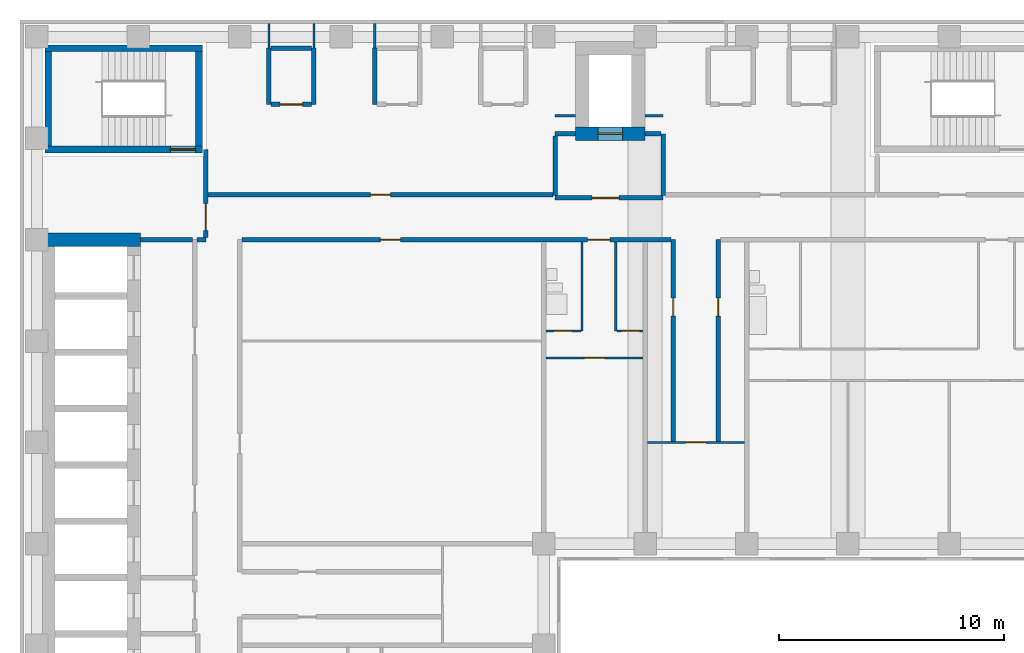
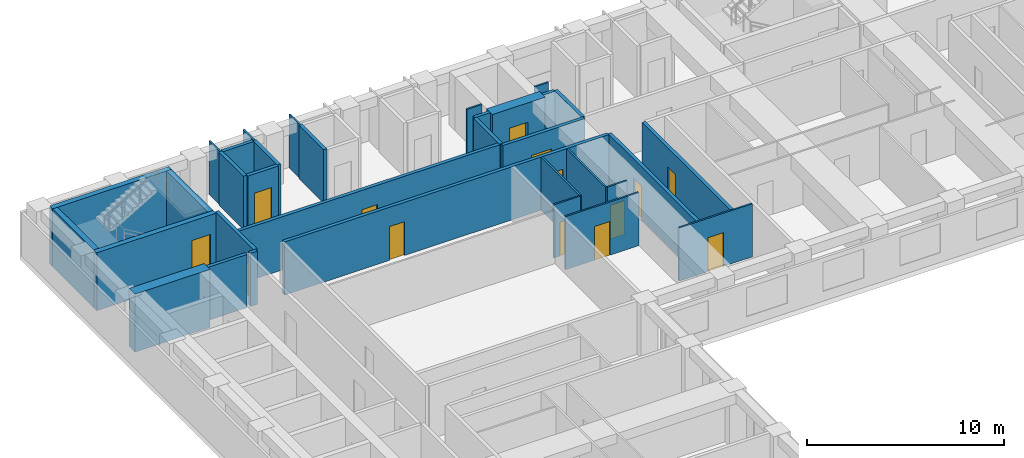
# One storey, part 5 of 12: 34 walls, 14 doors, 14 openings.
"""IFC4 building model written with IfcOpenShell, lengths in metres."""

from ifc_helpers import new_model, si_unit, direction, frame, frame_2d, origin, place, context, subcontext, project, spatial, rectangle, extrude, material, layer, layer_set, type_object, element, fill, save


model = new_model("IFC4")

# Units and contexts
model_context = context("Model", 3, precision=1e-05, world=origin(), true_north=direction((0.0, 1.0)))
body_context = subcontext(model_context, "Body", "Model", "MODEL_VIEW")
ifc_project = project(units=[si_unit("LENGTHUNIT", "METRE"), si_unit("AREAUNIT", "SQUARE_METRE"), si_unit("VOLUMEUNIT", "CUBIC_METRE"), si_unit("PLANEANGLEUNIT", "RADIAN"), si_unit("MASSUNIT", "GRAM", prefix="KILO")], contexts=[model_context])

# Site, building, storey
site_placement = place(None, origin())
site = spatial("IfcSite", under=ifc_project, at=site_placement, CompositionType="ELEMENT")
building_placement = place(site_placement, origin())
building = spatial("IfcBuilding", under=site, at=building_placement, Name="Firuza Court", CompositionType="ELEMENT")
storey_placement = place(building_placement, frame((0.0, 0.0, 144.800048828125)))
storey = spatial("IfcBuildingStorey", under=building, at=storey_placement, Name="L36", CompositionType="ELEMENT", Elevation=144.800048828125)

# Wall
ifc_material_1 = material(Name="Moisture-resistant gypsum board partition")
ifc_layer_1 = layer(ifc_material_1, 0.10009765625)
ifc_layer_set_1 = layer_set([ifc_layer_1], Name="Moisture-resistant gypsum board partition")
wall_type_1 = type_object("IfcWallType", Name="Bathroom partition 100", PredefinedType="PLUMBINGWALL", material=ifc_layer_set_1)
wall_1_placement = place(storey_placement, frame((24.199951171875, 45.449951171875, 0.0), z_axis=(0.0, 0.0, 1.0), x_axis=(0.0, 1.0, 0.0)))
element("IfcWall", 1, at=wall_1_placement, inside=storey, type_object=wall_type_1, Name="Bathroom partition 100 L36", PredefinedType="PLUMBINGWALL", context=body_context, shape_type="SweptSolid", body=[
    extrude(rectangle(XDim=3.949951171875, YDim=0.10009765625, at=frame_2d((1.97509765625, 0.0))), origin(), (0.0, 0.0, 1.0), 3.300048828125),
])

# Wall, opening, door
ifc_material_2 = material(Name="Concrete C60/75", Category="concrete")
ifc_layer_2 = layer(ifc_material_2, 0.300048828125)
ifc_layer_set_2 = layer_set([ifc_layer_2], Name="Concrete C60/75")
wall_type_2 = type_object("IfcWallType", Name="Core wall 300 C60/75", PredefinedType="SHEAR", material=ifc_layer_set_2)
wall_2_placement = place(storey_placement, frame((0.35009765625, 53.5, -0.300048828125), z_axis=(0.0, 0.0, 1.0), x_axis=(1.0, 0.0, 0.0)))
wall_2 = element("IfcWall", 2, at=wall_2_placement, inside=storey, type_object=wall_type_2, Name="Core wall stair L36", PredefinedType="SHEAR", context=body_context, shape_type="SweptSolid", body=[
    extrude(rectangle(XDim=7.0, YDim=0.300048828125, at=frame_2d((3.5, 0.0))), origin(), (0.0, 0.0, 1.0), 3.60009765625),
])
opening_1_placement = place(wall_2_placement, frame((5.580078125, 0.0, 0.300048828125)))
opening_1 = element("IfcOpeningElement", 3, at=opening_1_placement, cuts=wall_2, Name="Opening D36015", PredefinedType="OPENING", context=body_context, shape_type="SweptSolid", body=[
    extrude(rectangle(XDim=1.10009765625, YDim=2.10009765625, at=frame_2d((0.550048828125, 1.050048828125))), frame((0.0, 0.162109375, 0.0), z_axis=(0.0, -1.0, 0.0), x_axis=(1.0, 0.0, 0.0)), (0.0, 0.0, 1.0), 0.323974609375),
])
ifc_material_3 = material(Name="Timber door leaf in hardwood frame", Category="wood")
door_type_1 = type_object("IfcDoorType", Name="Stair door 1100", OperationType="SINGLE_SWING_LEFT", PredefinedType="DOOR", material=ifc_material_3)
door_1_placement = place(opening_1_placement, origin())
door_1 = element("IfcDoor", 4, at=door_1_placement, inside=storey, type_object=door_type_1, Name="Stair door S3", OperationType="SINGLE_SWING_RIGHT", OverallHeight=2.10009765625, OverallWidth=1.10009765625, PredefinedType="DOOR", context=body_context, shape_type="SweptSolid", body=[
    extrude(rectangle(XDim=1.10009765625, YDim=2.10009765625, at=frame_2d((0.550048828125, 1.050048828125))), frame((0.0, 0.02490234375, 0.0), z_axis=(0.0, -1.0, 0.0), x_axis=(1.0, 0.0, 0.0)), (0.0, 0.0, 1.0), 0.050048828125),
])
fill(opening_1, door_1)

# Walls
wall_3_placement = place(storey_placement, frame((0.35009765625, 58.0, -0.300048828125), z_axis=(0.0, 0.0, 1.0), x_axis=(1.0, 0.0, 0.0)))
element("IfcWall", 5, at=wall_3_placement, inside=storey, type_object=wall_type_2, Name="Core wall stair L36", PredefinedType="SHEAR", context=body_context, shape_type="SweptSolid", body=[
    extrude(rectangle(XDim=7.0, YDim=0.300048828125, at=frame_2d((3.5, 0.0))), origin(), (0.0, 0.0, 1.0), 3.60009765625),
])
for number, where, z_axis, x_axis, name in (
    (6, (0.5, 53.64990234375, -0.300048828125), (0.0, 0.0, 1.0), (0.0, 1.0, 0.0), "Core wall stair L36"),
    (7, (7.199951171875, 53.64990234375, -0.300048828125), (0.0, 0.0, 1.0), (0.0, 1.0, 0.0), "Core wall stair L36"),
):
    element("IfcWall", number, at=place(storey_placement, frame(where, z_axis=z_axis, x_axis=x_axis)), inside=storey, type_object=wall_type_2, Name=name, PredefinedType="SHEAR", context=body_context, shape_type="SweptSolid", body=[
        extrude(rectangle(XDim=4.2001953125, YDim=0.300048828125, at=frame_2d((2.10009765625, 0.0))), origin(), (0.0, 0.0, 1.0), 3.60009765625),
    ])
ifc_layer_3 = layer(ifc_material_2, 0.60009765625)
ifc_layer_set_3 = layer_set([ifc_layer_3], Name="Concrete C60/75")
wall_type_3 = type_object("IfcWallType", Name="Core wall 600 C60/75", PredefinedType="SHEAR", material=ifc_layer_set_3)
wall_4_placement = place(storey_placement, frame((0.199951171875, 49.5, -0.300048828125), z_axis=(0.0, 0.0, 1.0), x_axis=(1.0, 0.0, 0.0)))
element("IfcWall", 8, at=wall_4_placement, inside=storey, type_object=wall_type_3, Name="Core wall lift shaft L36", PredefinedType="SHEAR", context=body_context, shape_type="SweptSolid", body=[
    extrude(rectangle(XDim=4.400146484375, YDim=0.60009765625, at=frame_2d((2.2001953125, 0.0))), origin(), (0.0, 0.0, 1.0), 3.60009765625),
])

# Wall, opening, door
wall_5_placement = place(storey_placement, frame((23.89990234375, 54.199951171875, -0.300048828125), z_axis=(0.0, 0.0, 1.0), x_axis=(1.0, 0.0, 0.0)))
wall_5 = element("IfcWall", 9, at=wall_5_placement, inside=storey, type_object=wall_type_3, Name="Core wall lift shaft L36", PredefinedType="SHEAR", context=body_context, shape_type="SweptSolid", body=[
    extrude(rectangle(XDim=3.10009765625, YDim=0.60009765625, at=frame_2d((1.550048828125, 0.0))), origin(), (0.0, 0.0, 1.0), 3.60009765625),
])
opening_2_placement = place(wall_5_placement, frame((1.0, 0.0, 0.300048828125)))
opening_2 = element("IfcOpeningElement", 10, at=opening_2_placement, cuts=wall_5, Name="Opening LD-FL3-36", PredefinedType="OPENING", context=body_context, shape_type="SweptSolid", body=[
    extrude(rectangle(XDim=1.10009765625, YDim=2.10009765625, at=frame_2d((0.550048828125, 1.050048828125))), frame((0.0, 0.31201171875, 0.0), z_axis=(0.0, -1.0, 0.0), x_axis=(1.0, 0.0, 0.0)), (0.0, 0.0, 1.0), 0.6240234375),
])
ifc_material_4 = material(Name="Stainless steel 1.4301 door leaf", Category="steel")
door_type_2 = type_object("IfcDoorType", Name="Lift landing door 1100", OperationType="SLIDING_TO_LEFT", PredefinedType="DOOR", material=ifc_material_4)
door_2_placement = place(opening_2_placement, origin())
door_2 = element("IfcDoor", 11, at=door_2_placement, inside=storey, type_object=door_type_2, Name="Landing door FL3", OperationType="SLIDING_TO_LEFT", OverallHeight=2.10009765625, OverallWidth=1.10009765625, PredefinedType="DOOR", context=body_context, shape_type="SweptSolid", body=[
    extrude(rectangle(XDim=1.10009765625, YDim=2.10009765625, at=frame_2d((0.550048828125, 1.050048828125))), frame((0.0, 0.02490234375, 0.0), z_axis=(0.0, -1.0, 0.0), x_axis=(1.0, 0.0, 0.0)), (0.0, 0.0, 1.0), 0.050048828125),
])
fill(opening_2, door_2)

ifc_material_5 = material(Name="Blockwork, plastered both sides", Category="masonry")
ifc_layer_4 = layer(ifc_material_5, 0.199951171875)
ifc_layer_set_4 = layer_set([ifc_layer_4], Name="Blockwork, plastered both sides")
wall_type_4 = type_object("IfcWallType", Name="Corridor wall 200", PredefinedType="PARTITIONING", material=ifc_layer_set_4)
wall_6_placement = place(storey_placement, frame((28.25, 40.550048828125, 0.0), z_axis=(0.0, 0.0, 1.0), x_axis=(0.0, 1.0, 0.0)))
wall_6 = element("IfcWall", 12, at=wall_6_placement, inside=storey, type_object=wall_type_4, Name="Corridor wall 200 L36", PredefinedType="PARTITIONING", context=body_context, shape_type="SweptSolid", body=[
    extrude(rectangle(XDim=8.949951171875, YDim=0.199951171875, at=frame_2d((4.47509765625, 0.0))), origin(), (0.0, 0.0, 1.0), 3.300048828125),
])
opening_3_placement = place(wall_6_placement, frame((5.550048828125, 0.0, 0.0)))
opening_3 = element("IfcOpeningElement", 13, at=opening_3_placement, cuts=wall_6, Name="Opening D36041", PredefinedType="OPENING", context=body_context, shape_type="SweptSolid", body=[
    extrude(rectangle(XDim=0.800048828125, YDim=2.10009765625, at=frame_2d((0.39990234375, 1.050048828125))), frame((0.0, 0.11181640625, 0.0), z_axis=(0.0, -1.0, 0.0), x_axis=(1.0, 0.0, 0.0)), (0.0, 0.0, 1.0), 0.223876953125),
])
ifc_material_6 = material(Name="Timber door leaf in hardwood frame", Category="wood")
door_type_3 = type_object("IfcDoorType", Name="Room door 800 EI 30", OperationType="SINGLE_SWING_LEFT", PredefinedType="DOOR", material=ifc_material_6)
door_3_placement = place(opening_3_placement, origin())
door_3 = element("IfcDoor", 14, at=door_3_placement, inside=storey, type_object=door_type_3, Name="Store door", OperationType="SINGLE_SWING_RIGHT", OverallHeight=2.10009765625, OverallWidth=0.800048828125, PredefinedType="DOOR", context=body_context, shape_type="SweptSolid", body=[
    extrude(rectangle(XDim=0.800048828125, YDim=2.10009765625, at=frame_2d((0.39990234375, 1.050048828125))), frame((0.0, 0.02490234375, 0.0), z_axis=(0.0, -1.0, 0.0), x_axis=(1.0, 0.0, 0.0)), (0.0, 0.0, 1.0), 0.050048828125),
])
fill(opening_3, door_3)

wall_7_placement = place(storey_placement, frame((30.25, 40.550048828125, 0.0), z_axis=(0.0, 0.0, 1.0), x_axis=(0.0, 1.0, 0.0)))
wall_7 = element("IfcWall", 15, at=wall_7_placement, inside=storey, type_object=wall_type_4, Name="Corridor wall 200 L36", PredefinedType="PARTITIONING", context=body_context, shape_type="SweptSolid", body=[
    extrude(rectangle(XDim=8.949951171875, YDim=0.199951171875, at=frame_2d((4.47509765625, 0.0))), origin(), (0.0, 0.0, 1.0), 3.300048828125),
])
opening_4_placement = place(wall_7_placement, frame((5.550048828125, 0.0, 0.0)))
opening_4 = element("IfcOpeningElement", 16, at=opening_4_placement, cuts=wall_7, Name="Opening D36042", PredefinedType="OPENING", context=body_context, shape_type="SweptSolid", body=[
    extrude(rectangle(XDim=0.800048828125, YDim=2.10009765625, at=frame_2d((0.39990234375, 1.050048828125))), frame((0.0, 0.11181640625, 0.0), z_axis=(0.0, -1.0, 0.0), x_axis=(1.0, 0.0, 0.0)), (0.0, 0.0, 1.0), 0.223876953125),
])
door_4_placement = place(opening_4_placement, frame((0.800048828125, 0.0, 0.0), z_axis=(0.0, 0.0, 1.0), x_axis=(-1.0, 0.0, 0.0)))
door_4 = element("IfcDoor", 17, at=door_4_placement, inside=storey, type_object=door_type_3, Name="Store door", OperationType="SINGLE_SWING_LEFT", OverallHeight=2.10009765625, OverallWidth=0.800048828125, PredefinedType="DOOR", context=body_context, shape_type="SweptSolid", body=[
    extrude(rectangle(XDim=0.800048828125, YDim=2.10009765625, at=frame_2d((0.39990234375, 1.050048828125))), frame((0.0, 0.02490234375, 0.0), z_axis=(0.0, -1.0, 0.0), x_axis=(1.0, 0.0, 0.0)), (0.0, 0.0, 1.0), 0.050048828125),
])
fill(opening_4, door_4)

# Wall, openings, doors
wall_8_placement = place(storey_placement, frame((9.10009765625, 49.5, 0.0), z_axis=(0.0, 0.0, 1.0), x_axis=(1.0, 0.0, 0.0)))
wall_8 = element("IfcWall", 18, at=wall_8_placement, inside=storey, type_object=wall_type_4, Name="Corridor wall 200 L36", PredefinedType="PARTITIONING", context=body_context, shape_type="SweptSolid", body=[
    extrude(rectangle(XDim=19.0498046875, YDim=0.199951171875, at=frame_2d((9.52490234375, 0.0))), origin(), (0.0, 0.0, 1.0), 3.300048828125),
])
opening_5_placement = place(wall_8_placement, frame((15.35009765625, 0.0, 0.0)))
opening_5 = element("IfcOpeningElement", 19, at=opening_5_placement, cuts=wall_8, Name="Opening D36063", PredefinedType="OPENING", context=body_context, shape_type="SweptSolid", body=[
    extrude(rectangle(XDim=1.0, YDim=2.10009765625, at=frame_2d((0.5, 1.050048828125))), frame((0.0, 0.11181640625, 0.0), z_axis=(0.0, -1.0, 0.0), x_axis=(1.0, 0.0, 0.0)), (0.0, 0.0, 1.0), 0.223876953125),
])
opening_6_placement = place(wall_8_placement, frame((6.14990234375, 0.0, 0.0)))
opening_6 = element("IfcOpeningElement", 20, at=opening_6_placement, cuts=wall_8, Name="Opening D36064", PredefinedType="OPENING", context=body_context, shape_type="SweptSolid", body=[
    extrude(rectangle(XDim=0.89990234375, YDim=2.10009765625, at=frame_2d((0.449951171875, 1.050048828125))), frame((0.0, 0.11181640625, 0.0), z_axis=(0.0, -1.0, 0.0), x_axis=(1.0, 0.0, 0.0)), (0.0, 0.0, 1.0), 0.223876953125),
])
ifc_material_7 = material(Name="Timber door leaf in hardwood frame", Category="wood")
door_type_4 = type_object("IfcDoorType", Name="Flat entrance door 1000", OperationType="SINGLE_SWING_LEFT", PredefinedType="DOOR", material=ifc_material_7)
door_5_placement = place(opening_5_placement, origin())
door_5 = element("IfcDoor", 21, at=door_5_placement, inside=storey, type_object=door_type_4, Name="Flat entrance door", OperationType="SINGLE_SWING_LEFT", OverallHeight=2.10009765625, OverallWidth=1.0, PredefinedType="DOOR", context=body_context, shape_type="SweptSolid", body=[
    extrude(rectangle(XDim=1.0, YDim=2.10009765625, at=frame_2d((0.5, 1.050048828125))), frame((0.0, 0.02490234375, 0.0), z_axis=(0.0, -1.0, 0.0), x_axis=(1.0, 0.0, 0.0)), (0.0, 0.0, 1.0), 0.050048828125),
])
fill(opening_5, door_5)
ifc_material_8 = material(Name="Timber door leaf in hardwood frame", Category="wood")
door_type_5 = type_object("IfcDoorType", Name="Room door 900 EI 30", OperationType="SINGLE_SWING_LEFT", PredefinedType="DOOR", material=ifc_material_8)
door_6_placement = place(opening_6_placement, origin())
door_6 = element("IfcDoor", 22, at=door_6_placement, inside=storey, type_object=door_type_5, Name="Cinema room door", OperationType="SINGLE_SWING_LEFT", OverallHeight=2.10009765625, OverallWidth=0.89990234375, PredefinedType="DOOR", context=body_context, shape_type="SweptSolid", body=[
    extrude(rectangle(XDim=0.89990234375, YDim=2.10009765625, at=frame_2d((0.449951171875, 1.050048828125))), frame((0.0, 0.02490234375, 0.0), z_axis=(0.0, -1.0, 0.0), x_axis=(1.0, 0.0, 0.0)), (0.0, 0.0, 1.0), 0.050048828125),
])
fill(opening_6, door_6)

# Wall, opening, door
wall_9_placement = place(storey_placement, frame((7.60009765625, 51.5, 0.0), z_axis=(0.0, 0.0, 1.0), x_axis=(1.0, 0.0, 0.0)))
wall_9 = element("IfcWall", 23, at=wall_9_placement, inside=storey, type_object=wall_type_4, Name="Corridor wall 200 L36", PredefinedType="PARTITIONING", context=body_context, shape_type="SweptSolid", body=[
    extrude(rectangle(XDim=15.2998046875, YDim=0.199951171875, at=frame_2d((7.64990234375, 0.0))), origin(), (0.0, 0.0, 1.0), 3.300048828125),
])
opening_7_placement = place(wall_9_placement, frame((7.199951171875, 0.0, 0.0)))
opening_7 = element("IfcOpeningElement", 24, at=opening_7_placement, cuts=wall_9, Name="Opening D36067", PredefinedType="OPENING", context=body_context, shape_type="SweptSolid", body=[
    extrude(rectangle(XDim=0.89990234375, YDim=2.10009765625, at=frame_2d((0.449951171875, 1.050048828125))), frame((0.0, 0.11181640625, 0.0), z_axis=(0.0, -1.0, 0.0), x_axis=(1.0, 0.0, 0.0)), (0.0, 0.0, 1.0), 0.223876953125),
])
door_7_placement = place(opening_7_placement, origin())
door_7 = element("IfcDoor", 25, at=door_7_placement, inside=storey, type_object=door_type_5, Name="Residents' workroom door", OperationType="SINGLE_SWING_LEFT", OverallHeight=2.10009765625, OverallWidth=0.89990234375, PredefinedType="DOOR", context=body_context, shape_type="SweptSolid", body=[
    extrude(rectangle(XDim=0.89990234375, YDim=2.10009765625, at=frame_2d((0.449951171875, 1.050048828125))), frame((0.0, 0.02490234375, 0.0), z_axis=(0.0, -1.0, 0.0), x_axis=(1.0, 0.0, 0.0)), (0.0, 0.0, 1.0), 0.050048828125),
])
fill(opening_7, door_7)

ifc_material_9 = material(Name="Timber stud partition, plasterboard both sides", Category="wood")
ifc_layer_5 = layer(ifc_material_9, 0.10009765625)
ifc_layer_set_5 = layer_set([ifc_layer_5], Name="Timber stud partition, plasterboard both sides")
wall_type_5 = type_object("IfcWallType", Name="Partition wall 100", PredefinedType="PARTITIONING", material=ifc_layer_set_5)
wall_10_placement = place(storey_placement, frame((27.10009765625, 40.5, 0.0), z_axis=(0.0, 0.0, 1.0), x_axis=(1.0, 0.0, 0.0)))
wall_10 = element("IfcWall", 26, at=wall_10_placement, inside=storey, type_object=wall_type_5, Name="Partition wall 100 L36", PredefinedType="PARTITIONING", context=body_context, shape_type="SweptSolid", body=[
    extrude(rectangle(XDim=4.2998046875, YDim=0.10009765625, at=frame_2d((2.14990234375, 0.0))), origin(), (0.0, 0.0, 1.0), 3.300048828125),
])
opening_8_placement = place(wall_10_placement, frame((1.699951171875, 0.0, 0.0)))
opening_8 = element("IfcOpeningElement", 27, at=opening_8_placement, cuts=wall_10, Name="Opening D36039", PredefinedType="OPENING", context=body_context, shape_type="SweptSolid", body=[
    extrude(rectangle(XDim=0.89990234375, YDim=2.10009765625, at=frame_2d((0.449951171875, 1.050048828125))), frame((0.0, 0.06201171875, 0.0), z_axis=(0.0, -1.0, 0.0), x_axis=(1.0, 0.0, 0.0)), (0.0, 0.0, 1.0), 0.1240234375),
])
ifc_material_10 = material(Name="Timber door leaf in hardwood frame", Category="wood")
door_type_6 = type_object("IfcDoorType", Name="Room door 900", OperationType="SINGLE_SWING_LEFT", PredefinedType="DOOR", material=ifc_material_10)
door_8_placement = place(opening_8_placement, origin())
door_8 = element("IfcDoor", 28, at=door_8_placement, inside=storey, type_object=door_type_6, Name="Dining lounge door", OperationType="SINGLE_SWING_LEFT", OverallHeight=2.10009765625, OverallWidth=0.89990234375, PredefinedType="DOOR", context=body_context, shape_type="SweptSolid", body=[
    extrude(rectangle(XDim=0.89990234375, YDim=2.10009765625, at=frame_2d((0.449951171875, 1.050048828125))), frame((0.0, 0.02490234375, 0.0), z_axis=(0.0, -1.0, 0.0), x_axis=(1.0, 0.0, 0.0)), (0.0, 0.0, 1.0), 0.050048828125),
])
fill(opening_8, door_8)

wall_11_placement = place(storey_placement, frame((22.60009765625, 44.25, 0.0), z_axis=(0.0, 0.0, 1.0), x_axis=(1.0, 0.0, 0.0)))
wall_11 = element("IfcWall", 29, at=wall_11_placement, inside=storey, type_object=wall_type_5, Name="Partition wall 100 L36", PredefinedType="PARTITIONING", context=body_context, shape_type="SweptSolid", body=[
    extrude(rectangle(XDim=4.2998046875, YDim=0.10009765625, at=frame_2d((2.14990234375, 0.0))), origin(), (0.0, 0.0, 1.0), 3.300048828125),
])
opening_9_placement = place(wall_11_placement, frame((1.699951171875, 0.0, 0.0)))
opening_9 = element("IfcOpeningElement", 30, at=opening_9_placement, cuts=wall_11, Name="Opening D36052", PredefinedType="OPENING", context=body_context, shape_type="SweptSolid", body=[
    extrude(rectangle(XDim=0.89990234375, YDim=2.10009765625, at=frame_2d((0.449951171875, 1.050048828125))), frame((0.0, 0.06201171875, 0.0), z_axis=(0.0, -1.0, 0.0), x_axis=(1.0, 0.0, 0.0)), (0.0, 0.0, 1.0), 0.1240234375),
])
door_9_placement = place(opening_9_placement, frame((0.89990234375, 0.0, 0.0), z_axis=(0.0, 0.0, 1.0), x_axis=(-1.0, 0.0, 0.0)))
door_9 = element("IfcDoor", 31, at=door_9_placement, inside=storey, type_object=door_type_6, Name="Studio room door", OperationType="SINGLE_SWING_RIGHT", OverallHeight=2.10009765625, OverallWidth=0.89990234375, PredefinedType="DOOR", context=body_context, shape_type="SweptSolid", body=[
    extrude(rectangle(XDim=0.89990234375, YDim=2.10009765625, at=frame_2d((0.449951171875, 1.050048828125))), frame((0.0, 0.02490234375, 0.0), z_axis=(0.0, -1.0, 0.0), x_axis=(1.0, 0.0, 0.0)), (0.0, 0.0, 1.0), 0.050048828125),
])
fill(opening_9, door_9)

wall_12_placement = place(storey_placement, frame((22.60009765625, 45.449951171875, 0.0), z_axis=(0.0, 0.0, 1.0), x_axis=(1.0, 0.0, 0.0)))
wall_12 = element("IfcWall", 32, at=wall_12_placement, inside=storey, type_object=wall_type_5, Name="Partition wall 100 L36", PredefinedType="PARTITIONING", context=body_context, shape_type="SweptSolid", body=[
    extrude(rectangle(XDim=1.5498046875, YDim=0.10009765625, at=frame_2d((0.77490234375, 0.0))), origin(), (0.0, 0.0, 1.0), 3.300048828125),
])
opening_10_placement = place(wall_12_placement, frame((0.35009765625, 0.0, 0.0)))
opening_10 = element("IfcOpeningElement", 33, at=opening_10_placement, cuts=wall_12, Name="Opening D36061", PredefinedType="OPENING", context=body_context, shape_type="SweptSolid", body=[
    extrude(rectangle(XDim=0.800048828125, YDim=2.10009765625, at=frame_2d((0.39990234375, 1.050048828125))), frame((0.0, 0.06201171875, 0.0), z_axis=(0.0, -1.0, 0.0), x_axis=(1.0, 0.0, 0.0)), (0.0, 0.0, 1.0), 0.1240234375),
])
ifc_material_11 = material(Name="Timber door leaf in hardwood frame", Category="wood")
door_type_7 = type_object("IfcDoorType", Name="Bathroom door 800", OperationType="SINGLE_SWING_LEFT", PredefinedType="DOOR", material=ifc_material_11)
door_10_placement = place(opening_10_placement, origin())
door_10 = element("IfcDoor", 34, at=door_10_placement, inside=storey, type_object=door_type_7, Name="Bathroom door", OperationType="SINGLE_SWING_LEFT", OverallHeight=2.10009765625, OverallWidth=0.800048828125, PredefinedType="DOOR", context=body_context, shape_type="SweptSolid", body=[
    extrude(rectangle(XDim=0.800048828125, YDim=2.10009765625, at=frame_2d((0.39990234375, 1.050048828125))), frame((0.0, 0.02490234375, 0.0), z_axis=(0.0, -1.0, 0.0), x_axis=(1.0, 0.0, 0.0)), (0.0, 0.0, 1.0), 0.050048828125),
])
fill(opening_10, door_10)

# Wall
wall_13_placement = place(storey_placement, frame((25.699951171875, 45.449951171875, 0.0), z_axis=(0.0, 0.0, 1.0), x_axis=(0.0, 1.0, 0.0)))
element("IfcWall", 35, at=wall_13_placement, inside=storey, type_object=wall_type_5, Name="Partition wall 100 L36", PredefinedType="PARTITIONING", context=body_context, shape_type="SweptSolid", body=[
    extrude(rectangle(XDim=3.949951171875, YDim=0.10009765625, at=frame_2d((1.97509765625, 0.0))), origin(), (0.0, 0.0, 1.0), 3.300048828125),
])

# Wall, opening, door
wall_14_placement = place(storey_placement, frame((25.75, 45.449951171875, 0.0), z_axis=(0.0, 0.0, 1.0), x_axis=(1.0, 0.0, 0.0)))
wall_14 = element("IfcWall", 36, at=wall_14_placement, inside=storey, type_object=wall_type_5, Name="Partition wall 100 L36", PredefinedType="PARTITIONING", context=body_context, shape_type="SweptSolid", body=[
    extrude(rectangle(XDim=1.14990234375, YDim=0.10009765625, at=frame_2d((0.574951171875, 0.0))), origin(), (0.0, 0.0, 1.0), 3.300048828125),
])
opening_11_placement = place(wall_14_placement, frame((0.199951171875, 0.0, 0.0)))
opening_11 = element("IfcOpeningElement", 37, at=opening_11_placement, cuts=wall_14, Name="Opening D36062", PredefinedType="OPENING", context=body_context, shape_type="SweptSolid", body=[
    extrude(rectangle(XDim=0.800048828125, YDim=2.10009765625, at=frame_2d((0.39990234375, 1.050048828125))), frame((0.0, 0.06201171875, 0.0), z_axis=(0.0, -1.0, 0.0), x_axis=(1.0, 0.0, 0.0)), (0.0, 0.0, 1.0), 0.1240234375),
])
ifc_material_12 = material(Name="Timber door leaf in hardwood frame", Category="wood")
door_type_8 = type_object("IfcDoorType", Name="Room door 800", OperationType="SINGLE_SWING_LEFT", PredefinedType="DOOR", material=ifc_material_12)
door_11_placement = place(opening_11_placement, origin())
door_11 = element("IfcDoor", 38, at=door_11_placement, inside=storey, type_object=door_type_8, Name="Kitchen door", OperationType="SINGLE_SWING_LEFT", OverallHeight=2.10009765625, OverallWidth=0.800048828125, PredefinedType="DOOR", context=body_context, shape_type="SweptSolid", body=[
    extrude(rectangle(XDim=0.800048828125, YDim=2.10009765625, at=frame_2d((0.39990234375, 1.050048828125))), frame((0.0, 0.02490234375, 0.0), z_axis=(0.0, -1.0, 0.0), x_axis=(1.0, 0.0, 0.0)), (0.0, 0.0, 1.0), 0.050048828125),
])
fill(opening_11, door_11)

# Walls
wall_15_placement = place(storey_placement, frame((23.0, 55.0, 0.0), z_axis=(0.0, 0.0, 1.0), x_axis=(1.0, 0.0, 0.0)))
element("IfcWall", 39, at=wall_15_placement, inside=storey, type_object=wall_type_5, Name="Partition wall 100 L36", PredefinedType="PARTITIONING", context=body_context, shape_type="SweptSolid", body=[
    extrude(rectangle(XDim=0.89990234375, YDim=0.10009765625, at=frame_2d((0.449951171875, 0.0))), origin(), (0.0, 0.0, 1.0), 3.300048828125),
])
wall_16_placement = place(storey_placement, frame((27.0, 55.0, 0.0), z_axis=(0.0, 0.0, 1.0), x_axis=(1.0, 0.0, 0.0)))
element("IfcWall", 40, at=wall_16_placement, inside=storey, type_object=wall_type_5, Name="Partition wall 100 L36", PredefinedType="PARTITIONING", context=body_context, shape_type="SweptSolid", body=[
    extrude(rectangle(XDim=0.800048828125, YDim=0.10009765625, at=frame_2d((0.39990234375, 0.0))), origin(), (0.0, 0.0, 1.0), 3.300048828125),
])
for number, where, z_axis, x_axis, name in (
    (41, (10.300048828125, 58.0, 0.0), (0.0, 0.0, 1.0), (0.0, 1.0, 0.0), "Partition wall 100 L36"),
    (42, (12.300048828125, 58.0, 0.0), (0.0, 0.0, 1.0), (0.0, 1.0, 0.0), "Partition wall 100 L36"),
    (43, (15.0, 58.0, 0.0), (0.0, 0.0, 1.0), (0.0, 1.0, 0.0), "Partition wall 100 L36"),
):
    element("IfcWall", number, at=place(storey_placement, frame(where, z_axis=z_axis, x_axis=x_axis)), inside=storey, type_object=wall_type_5, Name=name, PredefinedType="PARTITIONING", context=body_context, shape_type="SweptSolid", body=[
        extrude(rectangle(XDim=1.10009765625, YDim=0.10009765625, at=frame_2d((0.550048828125, 0.0))), origin(), (0.0, 0.0, 1.0), 3.300048828125),
    ])
ifc_material_13 = material(Name="Blockwork, fire-rated", Category="masonry")
ifc_layer_6 = layer(ifc_material_13, 0.199951171875)
ifc_layer_set_6 = layer_set([ifc_layer_6], Name="Blockwork, fire-rated")
wall_type_6 = type_object("IfcWallType", Name="Plant room wall 200", PredefinedType="PARTITIONING", material=ifc_layer_set_6)
wall_17_placement = place(storey_placement, frame((10.300048828125, 55.5, 0.0), z_axis=(0.0, 0.0, 1.0), x_axis=(0.0, 1.0, 0.0)))
element("IfcWall", 44, at=wall_17_placement, inside=storey, type_object=wall_type_6, Name="Plant room wall 200 L36", PredefinedType="PARTITIONING", context=body_context, shape_type="SweptSolid", body=[
    extrude(rectangle(XDim=2.5, YDim=0.199951171875, at=frame_2d((1.25, 0.0))), origin(), (0.0, 0.0, 1.0), 3.300048828125),
])

# Wall, opening, door
wall_18_placement = place(storey_placement, frame((10.39990234375, 55.5, 0.0), z_axis=(0.0, 0.0, 1.0), x_axis=(1.0, 0.0, 0.0)))
wall_18 = element("IfcWall", 45, at=wall_18_placement, inside=storey, type_object=wall_type_6, Name="Plant room wall 200 L36", PredefinedType="PARTITIONING", context=body_context, shape_type="SweptSolid", body=[
    extrude(rectangle(XDim=1.800048828125, YDim=0.199951171875, at=frame_2d((0.89990234375, 0.0))), origin(), (0.0, 0.0, 1.0), 3.300048828125),
])
opening_12_placement = place(wall_18_placement, frame((0.39990234375, 0.0, 0.0)))
opening_12 = element("IfcOpeningElement", 46, at=opening_12_placement, cuts=wall_18, Name="Opening D36072", PredefinedType="OPENING", context=body_context, shape_type="SweptSolid", body=[
    extrude(rectangle(XDim=1.0, YDim=2.10009765625, at=frame_2d((0.5, 1.050048828125))), frame((0.0, 0.11181640625, 0.0), z_axis=(0.0, -1.0, 0.0), x_axis=(1.0, 0.0, 0.0)), (0.0, 0.0, 1.0), 0.223876953125),
])
ifc_material_14 = material(Name="Timber door leaf in hardwood frame", Category="wood")
door_type_9 = type_object("IfcDoorType", Name="Riser door 1000", OperationType="SINGLE_SWING_LEFT", PredefinedType="DOOR", material=ifc_material_14)
door_12_placement = place(opening_12_placement, origin())
door_12 = element("IfcDoor", 47, at=door_12_placement, inside=storey, type_object=door_type_9, Name="Comms riser door", OperationType="SINGLE_SWING_LEFT", OverallHeight=2.10009765625, OverallWidth=1.0, PredefinedType="DOOR", context=body_context, shape_type="SweptSolid", body=[
    extrude(rectangle(XDim=1.0, YDim=2.10009765625, at=frame_2d((0.5, 1.050048828125))), frame((0.0, 0.02490234375, 0.0), z_axis=(0.0, -1.0, 0.0), x_axis=(1.0, 0.0, 0.0)), (0.0, 0.0, 1.0), 0.050048828125),
])
fill(opening_12, door_12)

# Walls
for number, where, z_axis, x_axis, name in (
    (48, (12.300048828125, 55.5, 0.0), (0.0, 0.0, 1.0), (0.0, 1.0, 0.0), "Plant room wall 200 L36"),
    (49, (15.0, 55.5, 0.0), (0.0, 0.0, 1.0), (0.0, 1.0, 0.0), "Plant room wall 200 L36"),
):
    element("IfcWall", number, at=place(storey_placement, frame(where, z_axis=z_axis, x_axis=x_axis)), inside=storey, type_object=wall_type_6, Name=name, PredefinedType="PARTITIONING", context=body_context, shape_type="SweptSolid", body=[
        extrude(rectangle(XDim=2.5, YDim=0.199951171875, at=frame_2d((1.25, 0.0))), origin(), (0.0, 0.0, 1.0), 3.300048828125),
    ])
wall_19_placement = place(storey_placement, frame((10.39990234375, 58.0, 0.0), z_axis=(0.0, 0.0, 1.0), x_axis=(1.0, 0.0, 0.0)))
element("IfcWall", 50, at=wall_19_placement, inside=storey, type_object=wall_type_6, Name="Plant room wall 200 L36", PredefinedType="PARTITIONING", context=body_context, shape_type="SweptSolid", body=[
    extrude(rectangle(XDim=1.800048828125, YDim=0.199951171875, at=frame_2d((0.89990234375, 0.0))), origin(), (0.0, 0.0, 1.0), 3.300048828125),
])
ifc_layer_7 = layer(ifc_material_13, 0.199951171875)
ifc_layer_set_7 = layer_set([ifc_layer_7], Name="Blockwork, fire-rated")
wall_type_7 = type_object("IfcWallType", Name="Shaft wall 200", PredefinedType="PARTITIONING", material=ifc_layer_set_7)
wall_20_placement = place(storey_placement, frame((4.60009765625, 49.5, 0.0), z_axis=(0.0, 0.0, 1.0), x_axis=(1.0, 0.0, 0.0)))
element("IfcWall", 51, at=wall_20_placement, inside=storey, type_object=wall_type_7, Name="Shaft wall 200 L36", PredefinedType="PARTITIONING", context=body_context, shape_type="SweptSolid", body=[
    extrude(rectangle(XDim=2.2998046875, YDim=0.199951171875, at=frame_2d((1.14990234375, 0.0))), origin(), (0.0, 0.0, 1.0), 3.300048828125),
])

# Wall, opening, door
wall_21_placement = place(storey_placement, frame((23.0, 51.35009765625, 0.0), z_axis=(0.0, 0.0, 1.0), x_axis=(1.0, 0.0, 0.0)))
wall_21 = element("IfcWall", 52, at=wall_21_placement, inside=storey, type_object=wall_type_7, Name="Shaft wall 200 L36", PredefinedType="PARTITIONING", context=body_context, shape_type="SweptSolid", body=[
    extrude(rectangle(XDim=4.800048828125, YDim=0.199951171875, at=frame_2d((2.39990234375, 0.0))), origin(), (0.0, 0.0, 1.0), 3.300048828125),
])
opening_13_placement = place(wall_21_placement, frame((1.64990234375, 0.0, 0.0)))
opening_13 = element("IfcOpeningElement", 53, at=opening_13_placement, cuts=wall_21, Name="Opening D36003", PredefinedType="OPENING", context=body_context, shape_type="SweptSolid", body=[
    extrude(rectangle(XDim=1.199951171875, YDim=2.10009765625, at=frame_2d((0.60009765625, 1.050048828125))), frame((0.0, 0.11181640625, 0.0), z_axis=(0.0, -1.0, 0.0), x_axis=(1.0, 0.0, 0.0)), (0.0, 0.0, 1.0), 0.223876953125),
])
ifc_material_15 = material(Name="Timber door leaf in hardwood frame", Category="wood")
door_type_10 = type_object("IfcDoorType", Name="Lobby door 1200", OperationType="SINGLE_SWING_LEFT", PredefinedType="DOOR", material=ifc_material_15)
door_13_placement = place(opening_13_placement, origin())
door_13 = element("IfcDoor", 54, at=door_13_placement, inside=storey, type_object=door_type_10, Name="Fire-fighting lobby door", OperationType="SINGLE_SWING_LEFT", OverallHeight=2.10009765625, OverallWidth=1.199951171875, PredefinedType="DOOR", context=body_context, shape_type="SweptSolid", body=[
    extrude(rectangle(XDim=1.199951171875, YDim=2.10009765625, at=frame_2d((0.60009765625, 1.050048828125))), frame((0.0, 0.02490234375, 0.0), z_axis=(0.0, -1.0, 0.0), x_axis=(1.0, 0.0, 0.0)), (0.0, 0.0, 1.0), 0.050048828125),
])
fill(opening_13, door_13)

# Walls
wall_22_placement = place(storey_placement, frame((27.800048828125, 51.449951171875, 0.0), z_axis=(0.0, 0.0, 1.0), x_axis=(0.0, 1.0, 0.0)))
element("IfcWall", 55, at=wall_22_placement, inside=storey, type_object=wall_type_7, Name="Shaft wall 200 L36", PredefinedType="PARTITIONING", context=body_context, shape_type="SweptSolid", body=[
    extrude(rectangle(XDim=2.75, YDim=0.199951171875, at=frame_2d((1.375, 0.0))), origin(), (0.0, 0.0, 1.0), 3.300048828125),
])
wall_23_placement = place(storey_placement, frame((23.0, 54.199951171875, 0.0), z_axis=(0.0, 0.0, 1.0), x_axis=(1.0, 0.0, 0.0)))
element("IfcWall", 56, at=wall_23_placement, inside=storey, type_object=wall_type_7, Name="Shaft wall 200 L36", PredefinedType="PARTITIONING", context=body_context, shape_type="SweptSolid", body=[
    extrude(rectangle(XDim=0.89990234375, YDim=0.199951171875, at=frame_2d((0.449951171875, 0.0))), origin(), (0.0, 0.0, 1.0), 3.300048828125),
])
wall_24_placement = place(storey_placement, frame((27.0, 54.199951171875, 0.0), z_axis=(0.0, 0.0, 1.0), x_axis=(1.0, 0.0, 0.0)))
element("IfcWall", 57, at=wall_24_placement, inside=storey, type_object=wall_type_7, Name="Shaft wall 200 L36", PredefinedType="PARTITIONING", context=body_context, shape_type="SweptSolid", body=[
    extrude(rectangle(XDim=0.699951171875, YDim=0.199951171875, at=frame_2d((0.35009765625, 0.0))), origin(), (0.0, 0.0, 1.0), 3.300048828125),
])
wall_25_placement = place(storey_placement, frame((23.0, 51.449951171875, 0.0), z_axis=(0.0, 0.0, 1.0), x_axis=(0.0, 1.0, 0.0)))
element("IfcWall", 58, at=wall_25_placement, inside=storey, type_object=wall_type_7, Name="Shaft wall 200 L36", PredefinedType="PARTITIONING", context=body_context, shape_type="SweptSolid", body=[
    extrude(rectangle(XDim=2.650146484375, YDim=0.199951171875, at=frame_2d((1.3251953125, 0.0))), origin(), (0.0, 0.0, 1.0), 3.300048828125),
])
wall_26_placement = place(storey_placement, frame((7.10009765625, 49.5, 0.0), z_axis=(0.0, 0.0, 1.0), x_axis=(1.0, 0.0, 0.0)))
element("IfcWall", 59, at=wall_26_placement, inside=storey, type_object=wall_type_7, Name="Shaft wall 200 L36", PredefinedType="PARTITIONING", context=body_context, shape_type="SweptSolid", body=[
    extrude(rectangle(XDim=0.39990234375, YDim=0.199951171875, at=frame_2d((0.199951171875, 0.0))), origin(), (0.0, 0.0, 1.0), 3.300048828125),
])

# Wall, opening, door
wall_27_placement = place(storey_placement, frame((7.5, 49.60009765625, 0.0), z_axis=(0.0, 0.0, 1.0), x_axis=(0.0, 1.0, 0.0)))
wall_27 = element("IfcWall", 60, at=wall_27_placement, inside=storey, type_object=wall_type_7, Name="Shaft wall 200 L36", PredefinedType="PARTITIONING", context=body_context, shape_type="SweptSolid", body=[
    extrude(rectangle(XDim=3.89990234375, YDim=0.199951171875, at=frame_2d((1.949951171875, 0.0))), origin(), (0.0, 0.0, 1.0), 3.300048828125),
])
opening_14_placement = place(wall_27_placement, frame((0.300048828125, 0.0, 0.0)))
opening_14 = element("IfcOpeningElement", 61, at=opening_14_placement, cuts=wall_27, Name="Opening D36001", PredefinedType="OPENING", context=body_context, shape_type="SweptSolid", body=[
    extrude(rectangle(XDim=1.199951171875, YDim=2.10009765625, at=frame_2d((0.60009765625, 1.050048828125))), frame((0.0, 0.11181640625, 0.0), z_axis=(0.0, -1.0, 0.0), x_axis=(1.0, 0.0, 0.0)), (0.0, 0.0, 1.0), 0.223876953125),
])
door_14_placement = place(opening_14_placement, origin())
door_14 = element("IfcDoor", 62, at=door_14_placement, inside=storey, type_object=door_type_10, Name="Lobby door", OperationType="SINGLE_SWING_LEFT", OverallHeight=2.10009765625, OverallWidth=1.199951171875, PredefinedType="DOOR", context=body_context, shape_type="SweptSolid", body=[
    extrude(rectangle(XDim=1.199951171875, YDim=2.10009765625, at=frame_2d((0.60009765625, 1.050048828125))), frame((0.0, 0.02490234375, 0.0), z_axis=(0.0, -1.0, 0.0), x_axis=(1.0, 0.0, 0.0)), (0.0, 0.0, 1.0), 0.050048828125),
])
fill(opening_14, door_14)

save(model, "model.ifc")
